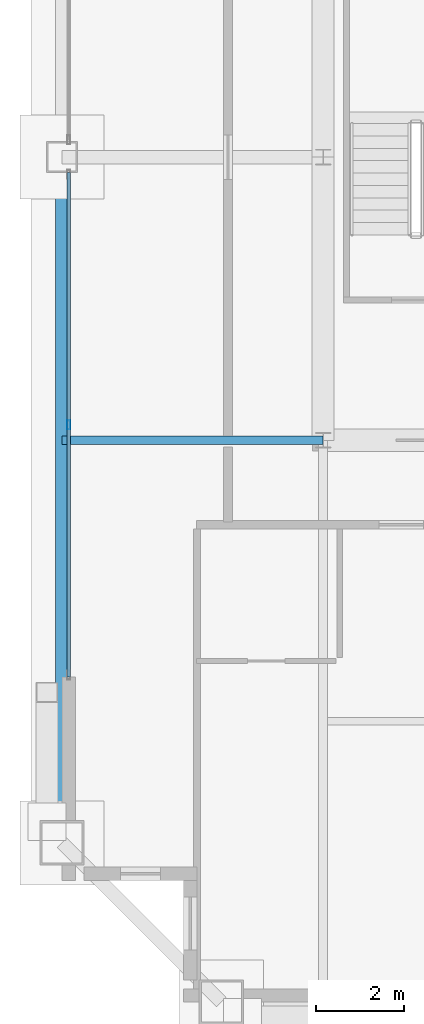
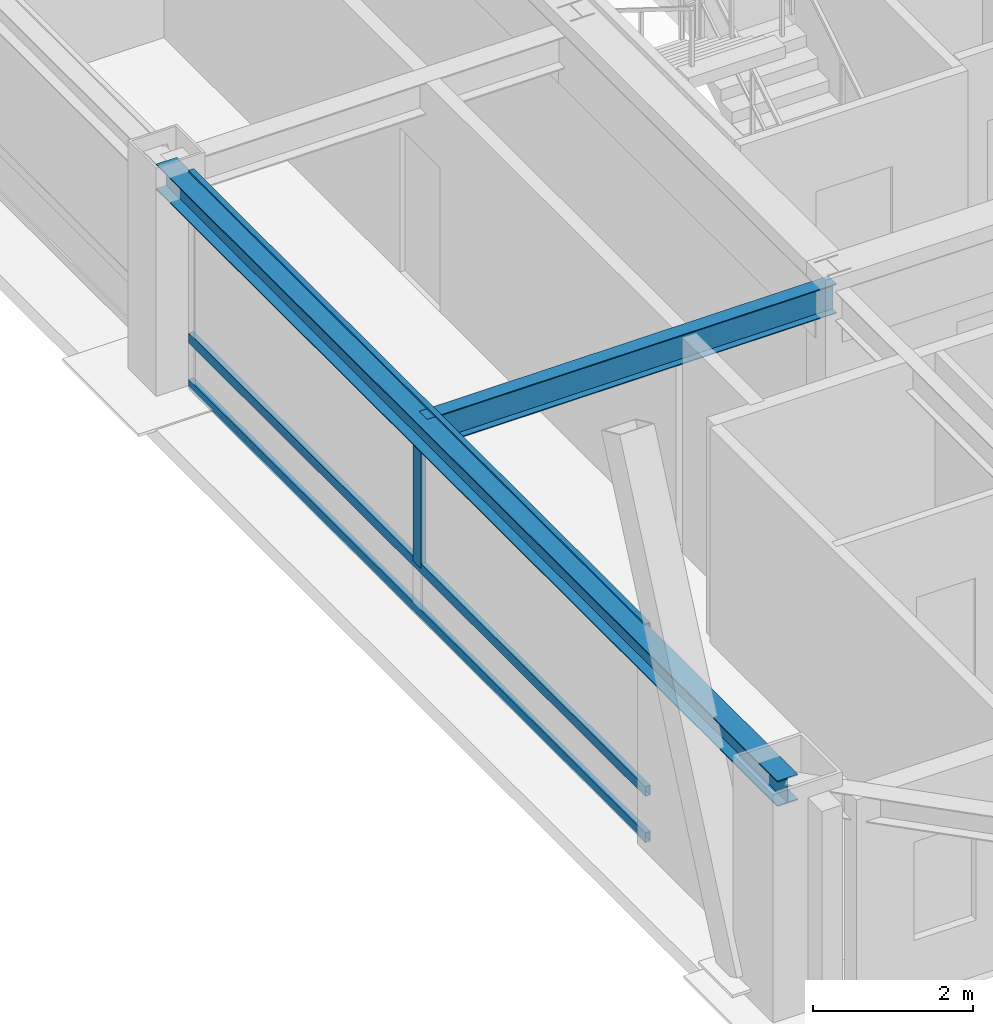
# One storey, part 6 of 35: 4 members, 2 beams, 1 element without a shape of its own.
"""IFC4 building model written with IfcOpenShell, lengths in metres."""

from ifc_helpers import new_model, si_unit, direction, frame, origin, origin_2d, place, context, subcontext, project, spatial, hollow_rectangle, i_section, extrude, source, transform, mapped, material, layer, layer_set, material_profile, profile_set, type_object, element, aggregate, save


model = new_model("IFC4")

# Units and contexts
model_context = context("Model", 3, precision=1e-05, world=origin(), true_north=direction((0.0, 1.0)))
body_context = subcontext(model_context, "Body", "Model", "MODEL_VIEW")
ifc_project = project(units=[si_unit("LENGTHUNIT", "METRE"), si_unit("AREAUNIT", "SQUARE_METRE"), si_unit("VOLUMEUNIT", "CUBIC_METRE"), si_unit("PLANEANGLEUNIT", "RADIAN"), si_unit("MASSUNIT", "GRAM", prefix="KILO"), si_unit("THERMODYNAMICTEMPERATUREUNIT", "KELVIN"), si_unit("POWERUNIT", "WATT")], contexts=[model_context])

# Site, building, storey
site_placement = place(None, origin())
site = spatial("IfcSite", under=ifc_project, at=site_placement, CompositionType="ELEMENT")
building_placement = place(site_placement, origin())
building = spatial("IfcBuilding", under=site, at=building_placement, Name="Yuzanri Waterfront Tower", CompositionType="ELEMENT")
storey_placement = place(building_placement, frame((0.0, 0.0, 285.60009765625)))
storey = spatial("IfcBuildingStorey", under=building, at=storey_placement, Name="L76", CompositionType="ELEMENT", Elevation=285.60009765625)

# Beams
ifc_material_1 = material(Name="Steel Q355B", Category="steel")
ifc_material_profile_1 = material_profile(ifc_material_1, i_section(OverallWidth=0.300048828125, OverallDepth=0.389892578125, WebThickness=0.010009765625, FlangeThickness=0.01611328125, at=origin_2d()), Name="HM 390x300x10x16")
ifc_profile_set_1 = profile_set([ifc_material_profile_1], Name="Steel Q355B")
beam_type_1 = type_object("IfcBeamType", Name="Perimeter Spandrel Q355B HM 390x300", PredefinedType="SPANDREL", material=ifc_profile_set_1)
shared_shape_1 = source(origin(), body_context, "Body", "SweptSolid", [
    extrude(i_section(OverallWidth=0.300048828125, OverallDepth=0.389892578125, WebThickness=0.010009765625, FlangeThickness=0.01611328125, at=origin_2d()), origin(), (0.0, 0.0, 1.0), 15.5),
])
beam_1_placement = place(storey_placement, frame((17.89990234375, 25.800048828125, 3.0849609375), z_axis=(0.0, -1.0, 0.0), x_axis=(1.0, 0.0, 0.0)))
element("IfcBeam", 1, at=beam_1_placement, inside=storey, type_object=beam_type_1, Name="L76 Perimeter Spandrel W2-W1", PredefinedType="SPANDREL", context=body_context, shape_type="MappedRepresentation", body=[
    mapped(shared_shape_1, transform((0.0, 0.0, 0.0), scale=1.0)),
])
ifc_material_2 = material(Name="Steel Q355B", Category="steel")
ifc_material_profile_2 = material_profile(ifc_material_2, i_section(OverallWidth=0.199951171875, OverallDepth=0.449951171875, WebThickness=0.009033203125, FlangeThickness=0.013916015625, at=origin_2d()), Name="HN 450x200x9x14")
ifc_profile_set_2 = profile_set([ifc_material_profile_2], Name="Steel Q355B")
beam_type_2 = type_object("IfcBeamType", Name="Secondary Floor Beam Q355B HN 450x200", PredefinedType="BEAM", material=ifc_profile_set_2)
shared_shape_2 = source(origin(), body_context, "Body", "SweptSolid", [
    extrude(i_section(OverallWidth=0.199951171875, OverallDepth=0.449951171875, WebThickness=0.009033203125, FlangeThickness=0.013916015625, at=origin_2d()), origin(), (0.0, 0.0, 1.0), 5.900146484375),
])
beam_2_placement = place(storey_placement, frame((23.800048828125, 19.39990234375, 3.054931640625), z_axis=(-1.0, 0.0, 0.0), x_axis=(0.0, -1.0, 0.0)))
element("IfcBeam", 2, at=beam_2_placement, inside=storey, type_object=beam_type_2, Name="L76 West-South Core Line Beam", PredefinedType="BEAM", context=body_context, shape_type="MappedRepresentation", body=[
    mapped(shared_shape_2, transform((0.0, 0.0, 0.0), scale=1.0)),
])

# Curtain wall, members
ifc_material_3 = material(Name="Anodized Architectural Bronze", Category="metal")
ifc_layer = layer(ifc_material_3, 0.159912109375)
ifc_layer_set = layer_set([ifc_layer], Name="Anodized Architectural Bronze")
curtain_wall_type = type_object("IfcCurtainWallType", Name="Anodized Bronze High-Rise Penthouse High-Wind Unitized Curtain Wall 6900", PredefinedType="NOTDEFINED", material=ifc_layer_set)
curtain_wall_placement = place(storey_placement, origin())
curtain_wall = element("IfcCurtainWall", 3, at=curtain_wall_placement, inside=storey, type_object=curtain_wall_type, Name="L76 Curtain Wall CW-L76-WL", PredefinedType="NOTDEFINED")
ifc_material_4 = material(Name="Anodized Architectural Bronze", Category="metal")
ifc_material_profile_3 = material_profile(ifc_material_4, hollow_rectangle(XDim=0.074951171875, YDim=0.199951171875, WallThickness=0.00390625, at=origin_2d()), Name="CWM 75x200")
ifc_profile_set_3 = profile_set([ifc_material_profile_3], Name="Anodized Architectural Bronze")
member_type_1 = type_object("IfcMemberType", Name="Anodized Bronze Primary Curtain-Wall Mullion 75x200", PredefinedType="MULLION", material=ifc_profile_set_3)
shared_shape_3 = source(origin(), body_context, "Body", "SweptSolid", [
    extrude(hollow_rectangle(XDim=0.074951171875, YDim=0.199951171875, WallThickness=0.00390625, at=origin_2d()), origin(), (0.0, 0.0, 1.0), 2.52392578125),
])
member_1_placement = place(storey_placement, frame((18.050048828125, 19.75, 0.755859375), z_axis=(0.0, 0.0, 1.0), x_axis=(1.0, 0.0, 0.0)))
member_1 = element("IfcMember", 4, at=member_1_placement, type_object=member_type_1, Name="CW-L76-WL Upper Mullion 01", PredefinedType="MULLION", context=body_context, shape_type="MappedRepresentation", body=[
    mapped(shared_shape_3, transform((0.0, 0.0, 0.0), scale=1.0)),
])
ifc_material_5 = material(Name="Anodized Architectural Bronze", Category="metal")
ifc_material_profile_4 = material_profile(ifc_material_5, hollow_rectangle(XDim=0.074951171875, YDim=0.14990234375, WallThickness=0.00390625, at=origin_2d()), Name="CWT 75x150")
ifc_profile_set_4 = profile_set([ifc_material_profile_4], Name="Anodized Architectural Bronze")
member_type_2 = type_object("IfcMemberType", Name="Anodized Bronze Primary Curtain-Wall Transom 75x150", PredefinedType="USERDEFINED", material=ifc_profile_set_4)
shared_shape_4 = source(origin(), body_context, "Body", "SweptSolid", [
    extrude(hollow_rectangle(XDim=0.074951171875, YDim=0.14990234375, WallThickness=0.00390625, at=origin_2d()), origin(), (0.0, 0.0, 1.0), 11.39990234375),
])
member_2_placement = place(storey_placement, frame((18.050048828125, 14.050048828125, 0.0498046875), z_axis=(0.0, 1.0, 0.0), x_axis=(-1.0, 0.0, 0.0)))
member_2 = element("IfcMember", 5, at=member_2_placement, type_object=member_type_2, Name="CW-L76-WL Transom 1", ObjectType="TRANSOM", PredefinedType="USERDEFINED", context=body_context, shape_type="MappedRepresentation", body=[
    mapped(shared_shape_4, transform((0.0, 0.0, 0.0), scale=1.0)),
])
member_3_placement = place(storey_placement, frame((18.050048828125, 14.050048828125, 0.75390625), z_axis=(0.0, 1.0, 0.0), x_axis=(-1.0, 0.0, 0.0)))
member_3 = element("IfcMember", 6, at=member_3_placement, type_object=member_type_2, Name="CW-L76-WL Transom 2", ObjectType="TRANSOM", PredefinedType="USERDEFINED", context=body_context, shape_type="MappedRepresentation", body=[
    mapped(shared_shape_4, transform((0.0, 0.0, 0.0), scale=1.0)),
])
member_4_placement = place(storey_placement, frame((18.050048828125, 14.050048828125, 3.22998046875), z_axis=(0.0, 1.0, 0.0), x_axis=(-1.0, 0.0, 0.0)))
member_4 = element("IfcMember", 7, at=member_4_placement, type_object=member_type_2, Name="CW-L76-WL Transom 3", ObjectType="TRANSOM", PredefinedType="USERDEFINED", context=body_context, shape_type="MappedRepresentation", body=[
    mapped(shared_shape_4, transform((0.0, 0.0, 0.0), scale=1.0)),
])
aggregate(curtain_wall, [member_1, member_2, member_3, member_4])

save(model, "model.ifc")
